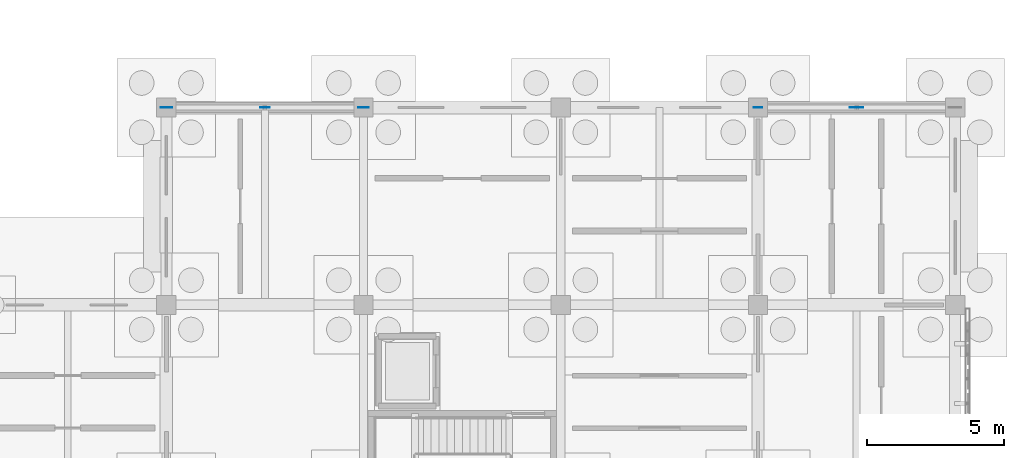
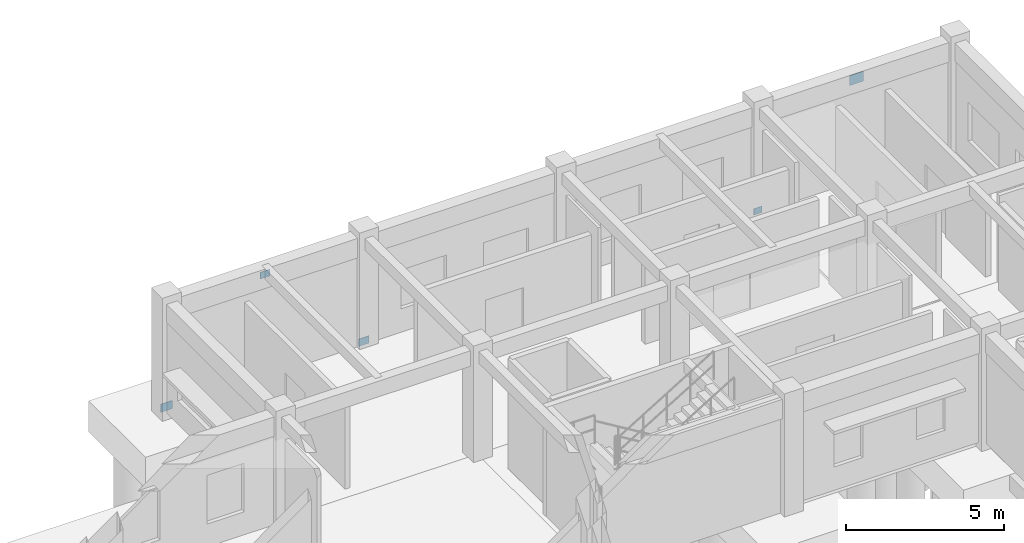
# One storey, part 60 of 111: 5 plates.
"""IFC4 building model written with IfcOpenShell, lengths in metres."""

from ifc_helpers import new_model, si_unit, direction, frame, origin, origin_2d, place, context, subcontext, project, spatial, rectangle, extrude, material, layer, layer_set, type_object, element, save


model = new_model("IFC4")

# Units and contexts
model_context = context("Model", 3, precision=1e-05, world=origin(), true_north=direction((0.0, 1.0)))
body_context = subcontext(model_context, "Body", "Model", "MODEL_VIEW")
ifc_project = project(units=[si_unit("LENGTHUNIT", "METRE"), si_unit("AREAUNIT", "SQUARE_METRE"), si_unit("VOLUMEUNIT", "CUBIC_METRE"), si_unit("PLANEANGLEUNIT", "RADIAN"), si_unit("MASSUNIT", "GRAM", prefix="KILO")], contexts=[model_context])

# Site, building, storey
site_placement = place(None, origin())
site = spatial("IfcSite", under=ifc_project, at=site_placement, CompositionType="ELEMENT")
building_placement = place(site_placement, origin())
building = spatial("IfcBuilding", under=site, at=building_placement, Name="Aldebral Square Health Centre", CompositionType="ELEMENT")
storey_placement = place(building_placement, origin())
storey = spatial("IfcBuildingStorey", under=building, at=storey_placement, Name="L00", CompositionType="ELEMENT", Elevation=0.0)

# Plates
ifc_material = material(Name="Steel S355JR", Category="steel")
ifc_layer_1 = layer(ifc_material, 0.01611328125, Name="Steel S355JR", Category="steel")
ifc_layer_set_1 = layer_set([ifc_layer_1], Name="Steel S355JR")
plate_type_1 = type_object("IfcPlateType", Name="PL-GUS-1", PredefinedType="USERDEFINED", material=ifc_layer_set_1)
plate_1_placement = place(storey_placement, frame((136.800048828125, 115.199951171875, -0.16015625), z_axis=(0.0, 0.0, 1.0), x_axis=(1.0, 0.0, 0.0)))
element("IfcPlate", 1, at=plate_1_placement, inside=storey, type_object=plate_type_1, Name="L00 north chevron brace 20 west base gusset plate", ObjectType="GUSSET_PLATE", PredefinedType="USERDEFINED", context=body_context, shape_type="SweptSolid", body=[
    extrude(rectangle(XDim=0.419921875, YDim=0.01611328125, at=origin_2d()), origin(), (0.0, 0.0, 1.0), 0.320068359375),
])
ifc_layer_2 = layer(ifc_material, 0.01611328125, Name="Steel S355JR", Category="steel")
ifc_layer_set_2 = layer_set([ifc_layer_2], Name="Steel S355JR")
plate_type_2 = type_object("IfcPlateType", Name="PL-GUS-2", PredefinedType="USERDEFINED", material=ifc_layer_set_2)
plate_2_placement = place(storey_placement, frame((144.0, 115.199951171875, -0.14013671875), z_axis=(0.0, 0.0, 1.0), x_axis=(1.0, 0.0, 0.0)))
element("IfcPlate", 2, at=plate_2_placement, inside=storey, type_object=plate_type_2, Name="L00 north chevron brace 20 east base gusset plate", ObjectType="GUSSET_PLATE", PredefinedType="USERDEFINED", context=body_context, shape_type="SweptSolid", body=[
    extrude(rectangle(XDim=0.3798828125, YDim=0.01611328125, at=origin_2d()), origin(), (0.0, 0.0, 1.0), 0.280029296875),
])
ifc_layer_3 = layer(ifc_material, 0.013916015625, Name="Steel S355JR", Category="steel")
ifc_layer_set_3 = layer_set([ifc_layer_3], Name="Steel S355JR")
plate_type_3 = type_object("IfcPlateType", Name="PL-GUS-3", PredefinedType="USERDEFINED", material=ifc_layer_set_3)
plate_3_placement = place(storey_placement, frame((140.39990234375, 115.199951171875, 3.71484375), z_axis=(0.0, 0.0, 1.0), x_axis=(1.0, 0.0, 0.0)))
element("IfcPlate", 3, at=plate_3_placement, inside=storey, type_object=plate_type_3, Name="L00 north chevron brace 20 apex gusset plate", ObjectType="GUSSET_PLATE", PredefinedType="USERDEFINED", context=body_context, shape_type="SweptSolid", body=[
    extrude(rectangle(XDim=0.340087890625, YDim=0.013916015625, at=origin_2d()), origin(), (0.0, 0.0, 1.0), 0.260009765625),
])
ifc_layer_4 = layer(ifc_material, 0.013916015625, Name="Steel S355JR", Category="steel")
ifc_layer_set_4 = layer_set([ifc_layer_4], Name="Steel S355JR")
plate_type_4 = type_object("IfcPlateType", Name="PL-GUS-4", PredefinedType="USERDEFINED", material=ifc_layer_set_4)
plate_4_placement = place(storey_placement, frame((158.39990234375, 115.199951171875, -0.1201171875), z_axis=(0.0, 0.0, 1.0), x_axis=(1.0, 0.0, 0.0)))
element("IfcPlate", 4, at=plate_4_placement, inside=storey, type_object=plate_type_4, Name="L00 north chevron brace 23 west base gusset plate", ObjectType="GUSSET_PLATE", PredefinedType="USERDEFINED", context=body_context, shape_type="SweptSolid", body=[
    extrude(rectangle(XDim=0.300048828125, YDim=0.013916015625, at=origin_2d()), origin(), (0.0, 0.0, 1.0), 0.239990234375),
])
ifc_layer_5 = layer(ifc_material, 0.02001953125, Name="Steel S355JR", Category="steel")
ifc_layer_set_5 = layer_set([ifc_layer_5], Name="Steel S355JR")
plate_type_5 = type_object("IfcPlateType", Name="PL-GUS-6", PredefinedType="USERDEFINED", material=ifc_layer_set_5)
plate_5_placement = place(storey_placement, frame((162.0, 115.199951171875, 3.655029296875), z_axis=(0.0, 0.0, 1.0), x_axis=(1.0, 0.0, 0.0)))
element("IfcPlate", 5, at=plate_5_placement, inside=storey, type_object=plate_type_5, Name="L00 north chevron brace 23 apex gusset plate", ObjectType="GUSSET_PLATE", PredefinedType="USERDEFINED", context=body_context, shape_type="SweptSolid", body=[
    extrude(rectangle(XDim=0.5, YDim=0.02001953125, at=origin_2d()), origin(), (0.0, 0.0, 1.0), 0.3798828125),
])

save(model, "model.ifc")
